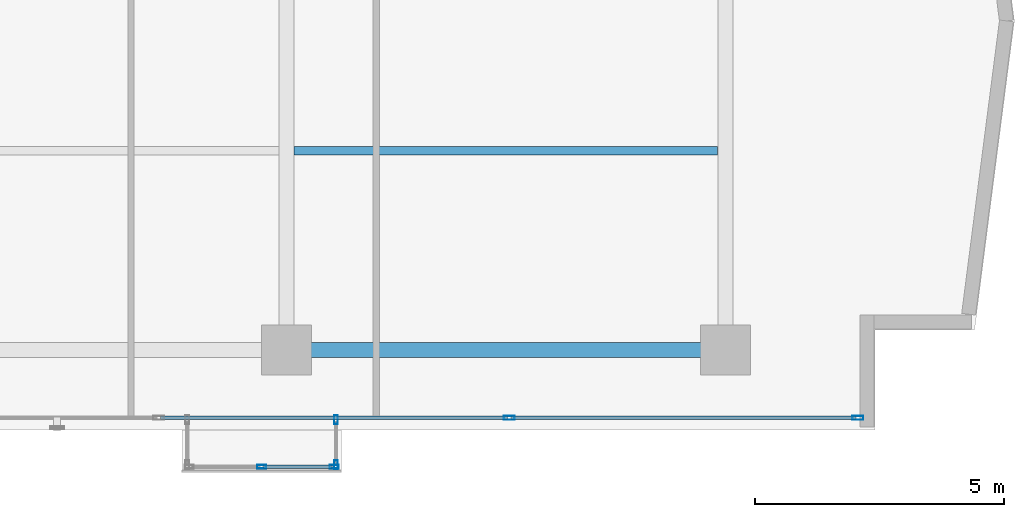
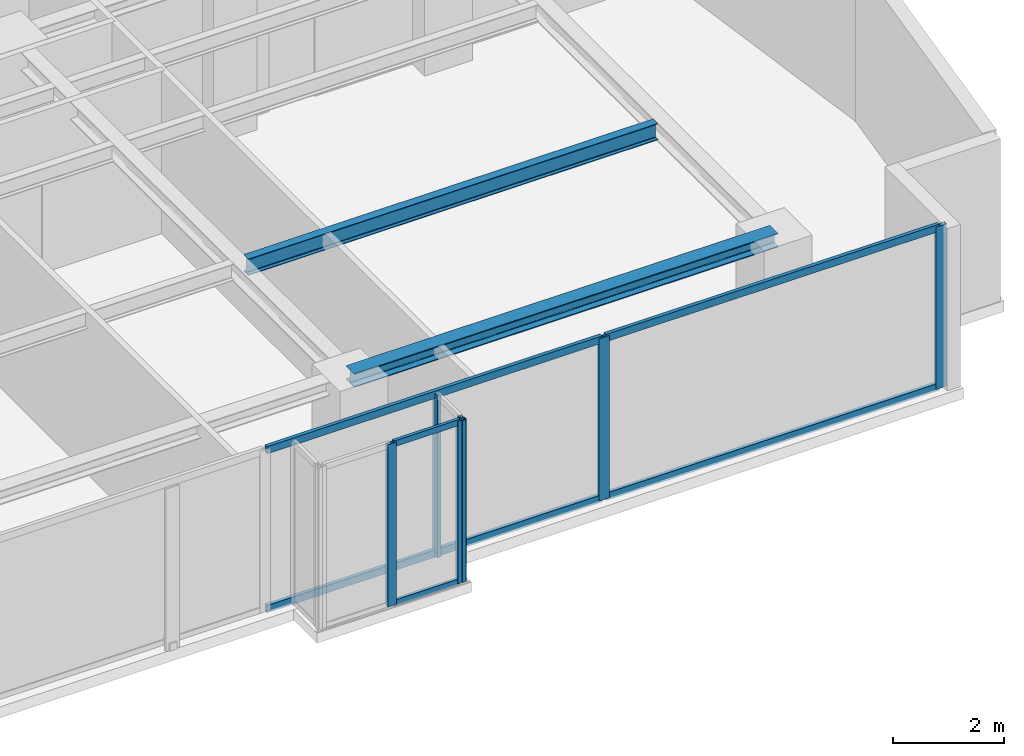
# One storey, part 11 of 24: 12 members, 2 beams, 3 elements without a shape of their own.
"""IFC4 building model written with IfcOpenShell, lengths in metres."""

from ifc_helpers import new_model, si_unit, direction, frame, origin, origin_with_axes, origin_2d, place, context, subcontext, project, spatial, hollow_rectangle, i_section, extrude, source, transform, mapped, material, layer, layer_set, material_profile, profile_set, type_object, element, aggregate, save


model = new_model("IFC4")

# Units and contexts
model_context = context("Model", 3, precision=1e-05, world=origin(), true_north=direction((0.0, 1.0)))
body_context = subcontext(model_context, "Body", "Model", "MODEL_VIEW")
ifc_project = project(units=[si_unit("LENGTHUNIT", "METRE"), si_unit("AREAUNIT", "SQUARE_METRE"), si_unit("VOLUMEUNIT", "CUBIC_METRE"), si_unit("PLANEANGLEUNIT", "RADIAN"), si_unit("MASSUNIT", "GRAM", prefix="KILO")], contexts=[model_context])

# Site, building, storey
site_placement = place(None, origin())
site = spatial("IfcSite", under=ifc_project, at=site_placement, CompositionType="ELEMENT")
building_placement = place(site_placement, origin())
building = spatial("IfcBuilding", under=site, at=building_placement, Name="Kolvaren Waterfront Exchange", CompositionType="ELEMENT")
storey_placement = place(building_placement, frame((0.0, 0.0, 208.300048828125)))
storey = spatial("IfcBuildingStorey", under=building, at=storey_placement, Name="L53", CompositionType="ELEMENT", Elevation=208.300048828125)

# Beams
ifc_material_1 = material(Name="Steel S355", Category="steel")
ifc_material_profile_1 = material_profile(ifc_material_1, i_section(OverallWidth=0.300048828125, OverallDepth=0.300048828125, WebThickness=0.010986328125, FlangeThickness=0.01904296875, FilletRadius=0.027099609375, at=origin_2d()), Name="HEB300")
ifc_profile_set_1 = profile_set([ifc_material_profile_1], Name="Steel S355")
beam_type_1 = type_object("IfcBeamType", Name="STR-BM-HEB300", PredefinedType="SPANDREL", material=ifc_profile_set_1)
beam_1_placement = place(storey_placement, frame((36.800048828125, 5.199951171875, 3.409912109375), z_axis=(1.0, 0.0, 0.0), x_axis=(0.0, 1.0, 0.0)))
element("IfcBeam", 1, at=beam_1_placement, inside=storey, type_object=beam_type_1, Name="L53 east-arm spandrel S3", PredefinedType="SPANDREL", context=body_context, shape_type="SweptSolid", body=[
    extrude(i_section(OverallWidth=0.300048828125, OverallDepth=0.300048828125, WebThickness=0.010986328125, FlangeThickness=0.01904296875, FilletRadius=0.027099609375, at=origin_2d()), origin(), (0.0, 0.0, 1.0), 8.800048828125),
])
ifc_material_profile_2 = material_profile(ifc_material_1, i_section(OverallWidth=0.169921875, OverallDepth=0.360107421875, WebThickness=0.008056640625, FlangeThickness=0.0126953125, FilletRadius=0.01806640625, at=origin_2d()), Name="IPE360")
ifc_profile_set_2 = profile_set([ifc_material_profile_2], Name="Steel S355")
beam_type_2 = type_object("IfcBeamType", Name="STR-BM-IPE360", PredefinedType="JOIST", material=ifc_profile_set_2)
beam_2_placement = place(storey_placement, frame((36.951904296875, 9.199951171875, 3.3798828125), z_axis=(1.0, 0.0, 0.0), x_axis=(0.0, 1.0, 0.0)))
element("IfcBeam", 2, at=beam_2_placement, inside=storey, type_object=beam_type_2, Name="L53 east-arm composite joist 3B", PredefinedType="JOIST", context=body_context, shape_type="SweptSolid", body=[
    extrude(i_section(OverallWidth=0.169921875, OverallDepth=0.360107421875, WebThickness=0.008056640625, FlangeThickness=0.0126953125, FilletRadius=0.01806640625, at=origin_2d()), origin(), (0.0, 0.0, 1.0), 8.49609375),
])

# Curtain wall, members
ifc_material_2 = material(Name="Anodised bronze aluminium 6063-T6", Category="aluminium")
ifc_layer_1 = layer(ifc_material_2, 0.219970703125, Name="Anodised bronze aluminium 6063-T6")
ifc_layer_set_1 = layer_set([ifc_layer_1], Name="Anodised bronze aluminium 6063-T6")
curtain_wall_type_1 = type_object("IfcCurtainWallType", Name="ARC-CW-SYS3", PredefinedType="USERDEFINED", material=ifc_layer_set_1)
curtain_wall_1_placement = place(storey_placement, origin())
curtain_wall_1 = element("IfcCurtainWall", 3, at=curtain_wall_1_placement, inside=storey, type_object=curtain_wall_type_1, Name="L53 stick curtain wall CW3 (CW-L53-BOX)", ObjectType="STICK CURTAIN WALL", PredefinedType="USERDEFINED")
ifc_material_profile_3 = material_profile(ifc_material_2, hollow_rectangle(XDim=0.06494140625, YDim=0.1298828125, WallThickness=0.00390625, at=origin_2d()), Name="ALU-TRN-130x65x4")
ifc_profile_set_3 = profile_set([ifc_material_profile_3], Name="Anodised bronze aluminium 6063-T6")
member_type_1 = type_object("IfcMemberType", Name="ARC-CWT-130", PredefinedType="USERDEFINED", material=ifc_profile_set_3)
shared_shape_1 = source(origin_with_axes(), body_context, "Body", "SweptSolid", [
    extrude(hollow_rectangle(XDim=0.06494140625, YDim=0.1298828125, WallThickness=0.00390625, at=origin_2d()), origin(), (0.0, 0.0, 1.0), 1.377685546875),
])
member_1_placement = place(storey_placement, frame((36.33740234375, 2.860107421875, 0.032470703125), z_axis=(1.0, 0.0, 0.0), x_axis=(0.0, 1.0, 0.0)))
member_1 = element("IfcMember", 4, at=member_1_placement, type_object=member_type_1, Name="CW3 transom 2.1", ObjectType="TRANSOM", PredefinedType="USERDEFINED", context=body_context, shape_type="MappedRepresentation", body=[
    mapped(shared_shape_1, transform((0.0, 0.0, 0.0), x_axis=(1.0, 0.0, 0.0), y_axis=(0.0, 1.0, 0.0), z_axis=(0.0, 0.0, 1.0), scale=1.0)),
])
member_2_placement = place(storey_placement, frame((36.33740234375, 2.860107421875, 3.52734375), z_axis=(1.0, 0.0, 0.0), x_axis=(0.0, 1.0, 0.0)))
member_2 = element("IfcMember", 5, at=member_2_placement, type_object=member_type_1, Name="CW3 transom 2.2", ObjectType="TRANSOM", PredefinedType="USERDEFINED", context=body_context, shape_type="MappedRepresentation", body=[
    mapped(shared_shape_1, transform((0.0, 0.0, 0.0), x_axis=(1.0, 0.0, 0.0), y_axis=(0.0, 1.0, 0.0), z_axis=(0.0, 0.0, 1.0), scale=1.0)),
])
ifc_material_profile_4 = material_profile(ifc_material_2, hollow_rectangle(XDim=0.074951171875, YDim=0.179931640625, WallThickness=0.00439453125, at=origin_2d()), Name="ALU-MUL-180x75x4.5")
ifc_profile_set_4 = profile_set([ifc_material_profile_4], Name="Anodised bronze aluminium 6063-T6")
member_type_2 = type_object("IfcMemberType", Name="ARC-CWM-180", PredefinedType="MULLION", material=ifc_profile_set_4)
shared_shape_2 = source(origin_with_axes(), body_context, "Body", "SweptSolid", [
    extrude(hollow_rectangle(XDim=0.074951171875, YDim=0.179931640625, WallThickness=0.00439453125, at=origin_2d()), origin(), (0.0, 0.0, 1.0), 3.56005859375),
])
member_3_placement = place(storey_placement, frame((36.300048828125, 2.860107421875, 0.0), z_axis=(0.0, 0.0, 1.0), x_axis=(0.0, 1.0, 0.0)))
member_3 = element("IfcMember", 6, at=member_3_placement, type_object=member_type_2, Name="CW3 mullion 2", PredefinedType="MULLION", context=body_context, shape_type="MappedRepresentation", body=[
    mapped(shared_shape_2, transform((0.0, 0.0, 0.0), x_axis=(1.0, 0.0, 0.0), y_axis=(0.0, 1.0, 0.0), z_axis=(0.0, 0.0, 1.0), scale=1.0)),
])
member_4_placement = place(storey_placement, frame((37.75244140625, 2.860107421875, 0.0), z_axis=(0.0, 0.0, 1.0), x_axis=(0.0, 1.0, 0.0)))
member_4 = element("IfcMember", 7, at=member_4_placement, type_object=member_type_2, Name="CW3 mullion 3", PredefinedType="MULLION", context=body_context, shape_type="MappedRepresentation", body=[
    mapped(shared_shape_2, transform((0.0, 0.0, 0.0), x_axis=(1.0, 0.0, 0.0), y_axis=(0.0, 1.0, 0.0), z_axis=(0.0, 0.0, 1.0), scale=1.0)),
])
aggregate(curtain_wall_1, [member_3, member_4, member_1, member_2])

curtain_wall_2_placement = place(storey_placement, origin())
curtain_wall_2 = element("IfcCurtainWall", 8, at=curtain_wall_2_placement, inside=storey, type_object=curtain_wall_type_1, Name="L53 stick curtain wall CW3 (CW-L53-BOX-E)", ObjectType="STICK CURTAIN WALL", PredefinedType="USERDEFINED")
member_5_placement = place(storey_placement, frame((37.7900390625, 2.8974609375, 0.0), z_axis=(0.0, 0.0, 1.0), x_axis=(-1.0, 0.0, 0.0)))
member_5 = element("IfcMember", 9, at=member_5_placement, type_object=member_type_2, Name="CW3 mullion 1", PredefinedType="MULLION", context=body_context, shape_type="MappedRepresentation", body=[
    mapped(shared_shape_2, transform((0.0, 0.0, 0.0), x_axis=(1.0, 0.0, 0.0), y_axis=(0.0, 1.0, 0.0), z_axis=(0.0, 0.0, 1.0), scale=1.0)),
])
member_6_placement = place(storey_placement, frame((37.7900390625, 3.802490234375, 0.0), z_axis=(0.0, 0.0, 1.0), x_axis=(-1.0, 0.0, 0.0)))
member_6 = element("IfcMember", 10, at=member_6_placement, type_object=member_type_2, Name="CW3 mullion 2", PredefinedType="MULLION", context=body_context, shape_type="MappedRepresentation", body=[
    mapped(shared_shape_2, transform((0.0, 0.0, 0.0), x_axis=(1.0, 0.0, 0.0), y_axis=(0.0, 1.0, 0.0), z_axis=(0.0, 0.0, 1.0), scale=1.0)),
])
aggregate(curtain_wall_2, [member_5, member_6])

ifc_layer_2 = layer(ifc_material_2, 0.219970703125, Name="Anodised bronze aluminium 6063-T6")
ifc_layer_set_2 = layer_set([ifc_layer_2], Name="Anodised bronze aluminium 6063-T6")
curtain_wall_type_2 = type_object("IfcCurtainWallType", Name="ARC-CW-SYS1", PredefinedType="USERDEFINED", material=ifc_layer_set_2)
curtain_wall_3_placement = place(storey_placement, origin())
curtain_wall_3 = element("IfcCurtainWall", 11, at=curtain_wall_3_placement, inside=storey, type_object=curtain_wall_type_2, Name="L53 stick curtain wall CW1 (CW-L53-S)", ObjectType="STICK CURTAIN WALL", PredefinedType="USERDEFINED")
ifc_material_3 = material(Name="Anodised aluminium 6063-T6", Category="aluminium")
ifc_material_profile_5 = material_profile(ifc_material_3, hollow_rectangle(XDim=0.080078125, YDim=0.219970703125, WallThickness=0.0048828125, at=origin_2d()), Name="ALU-MUL-220x80x5")
ifc_profile_set_5 = profile_set([ifc_material_profile_5], Name="Anodised aluminium 6063-T6")
member_type_3 = type_object("IfcMemberType", Name="ARC-CWM-220", PredefinedType="MULLION", material=ifc_profile_set_5)
shared_shape_3 = source(origin_with_axes(), body_context, "Body", "SweptSolid", [
    extrude(hollow_rectangle(XDim=0.080078125, YDim=0.219970703125, WallThickness=0.0048828125, at=origin_2d()), origin(), (0.0, 0.0, 1.0), 3.56005859375),
])
member_7_placement = place(storey_placement, frame((41.2666015625, 3.840087890625, 0.0), z_axis=(0.0, 0.0, 1.0), x_axis=(0.0, 1.0, 0.0)))
member_7 = element("IfcMember", 12, at=member_7_placement, type_object=member_type_3, Name="CW1 mullion 6", PredefinedType="MULLION", context=body_context, shape_type="MappedRepresentation", body=[
    mapped(shared_shape_3, transform((0.0, 0.0, 0.0), x_axis=(1.0, 0.0, 0.0), y_axis=(0.0, 1.0, 0.0), z_axis=(0.0, 0.0, 1.0), scale=1.0)),
])
member_8_placement = place(storey_placement, frame((48.260009765625, 3.840087890625, 0.0), z_axis=(0.0, 0.0, 1.0), x_axis=(0.0, 1.0, 0.0)))
member_8 = element("IfcMember", 13, at=member_8_placement, type_object=member_type_3, Name="CW1 mullion 7", PredefinedType="MULLION", context=body_context, shape_type="MappedRepresentation", body=[
    mapped(shared_shape_3, transform((0.0, 0.0, 0.0), x_axis=(1.0, 0.0, 0.0), y_axis=(0.0, 1.0, 0.0), z_axis=(0.0, 0.0, 1.0), scale=1.0)),
])
ifc_material_profile_6 = material_profile(ifc_material_3, hollow_rectangle(XDim=0.074951171875, YDim=0.159912109375, WallThickness=0.00439453125, at=origin_2d()), Name="ALU-TRN-160x75x4.5")
ifc_profile_set_6 = profile_set([ifc_material_profile_6], Name="Anodised aluminium 6063-T6")
member_type_4 = type_object("IfcMemberType", Name="ARC-CWT-160", PredefinedType="USERDEFINED", material=ifc_profile_set_6)
shared_shape_4 = source(origin_with_axes(), body_context, "Body", "SweptSolid", [
    extrude(hollow_rectangle(XDim=0.074951171875, YDim=0.159912109375, WallThickness=0.00439453125, at=origin_2d()), origin(), (0.0, 0.0, 1.0), 6.913330078125),
])
member_9_placement = place(storey_placement, frame((41.306640625, 3.840087890625, 0.037353515625), z_axis=(1.0, 0.0, 0.0), x_axis=(0.0, 1.0, 0.0)))
member_9 = element("IfcMember", 14, at=member_9_placement, type_object=member_type_4, Name="CW1 transom 6.1", ObjectType="TRANSOM", PredefinedType="USERDEFINED", context=body_context, shape_type="MappedRepresentation", body=[
    mapped(shared_shape_4, transform((0.0, 0.0, 0.0), x_axis=(1.0, 0.0, 0.0), y_axis=(0.0, 1.0, 0.0), z_axis=(0.0, 0.0, 1.0), scale=1.0)),
])
member_10_placement = place(storey_placement, frame((41.306640625, 3.840087890625, 3.5224609375), z_axis=(1.0, 0.0, 0.0), x_axis=(0.0, 1.0, 0.0)))
member_10 = element("IfcMember", 15, at=member_10_placement, type_object=member_type_4, Name="CW1 transom 6.2", ObjectType="TRANSOM", PredefinedType="USERDEFINED", context=body_context, shape_type="MappedRepresentation", body=[
    mapped(shared_shape_4, transform((0.0, 0.0, 0.0), x_axis=(1.0, 0.0, 0.0), y_axis=(0.0, 1.0, 0.0), z_axis=(0.0, 0.0, 1.0), scale=1.0)),
])
shared_shape_5 = source(origin_with_axes(), body_context, "Body", "SweptSolid", [
    extrude(hollow_rectangle(XDim=0.074951171875, YDim=0.159912109375, WallThickness=0.00439453125, at=origin_2d()), origin(), (0.0, 0.0, 1.0), 6.953125),
])
member_11_placement = place(storey_placement, frame((34.2734375, 3.840087890625, 0.037353515625), z_axis=(1.0, 0.0, 0.0), x_axis=(0.0, 1.0, 0.0)))
member_11 = element("IfcMember", 16, at=member_11_placement, type_object=member_type_4, Name="CW1 transom 5.1", ObjectType="TRANSOM", PredefinedType="USERDEFINED", context=body_context, shape_type="MappedRepresentation", body=[
    mapped(shared_shape_5, transform((0.0, 0.0, 0.0), x_axis=(1.0, 0.0, 0.0), y_axis=(0.0, 1.0, 0.0), z_axis=(0.0, 0.0, 1.0), scale=1.0)),
])
member_12_placement = place(storey_placement, frame((34.2734375, 3.840087890625, 3.5224609375), z_axis=(1.0, 0.0, 0.0), x_axis=(0.0, 1.0, 0.0)))
member_12 = element("IfcMember", 17, at=member_12_placement, type_object=member_type_4, Name="CW1 transom 5.2", ObjectType="TRANSOM", PredefinedType="USERDEFINED", context=body_context, shape_type="MappedRepresentation", body=[
    mapped(shared_shape_5, transform((0.0, 0.0, 0.0), x_axis=(1.0, 0.0, 0.0), y_axis=(0.0, 1.0, 0.0), z_axis=(0.0, 0.0, 1.0), scale=1.0)),
])
aggregate(curtain_wall_3, [member_7, member_8, member_11, member_12, member_9, member_10])

save(model, "model.ifc")
